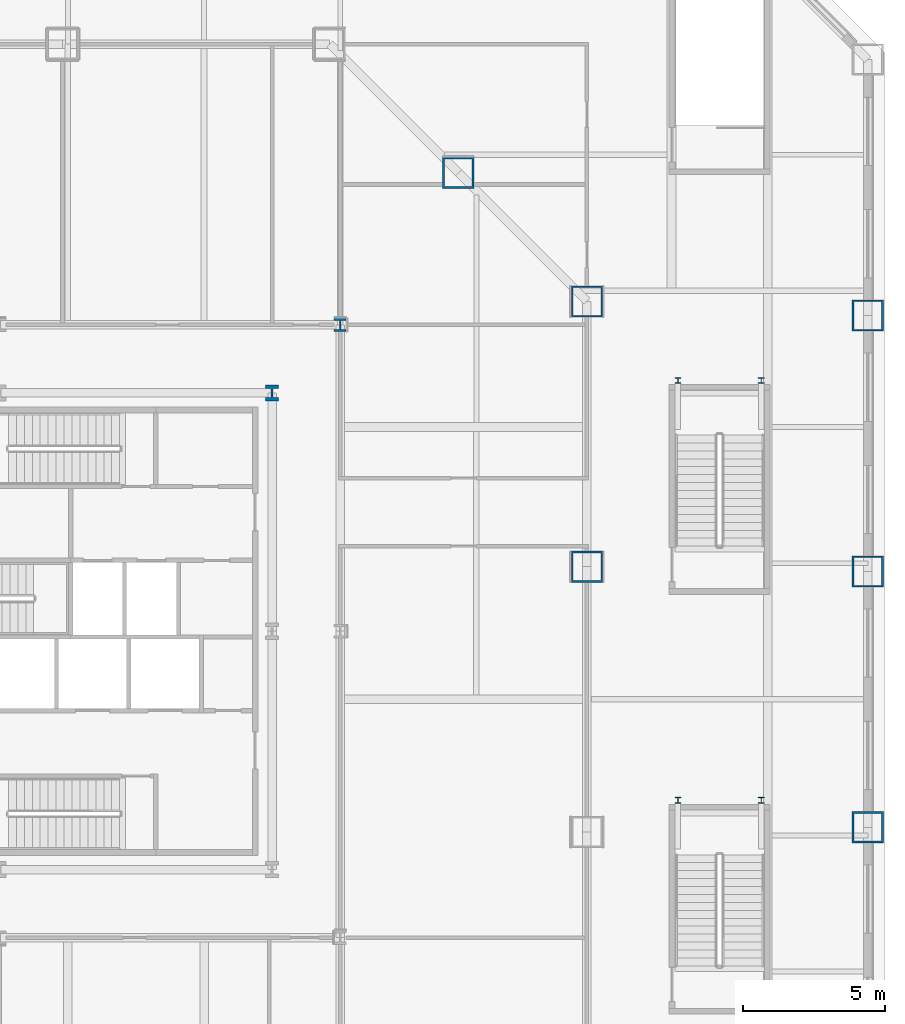
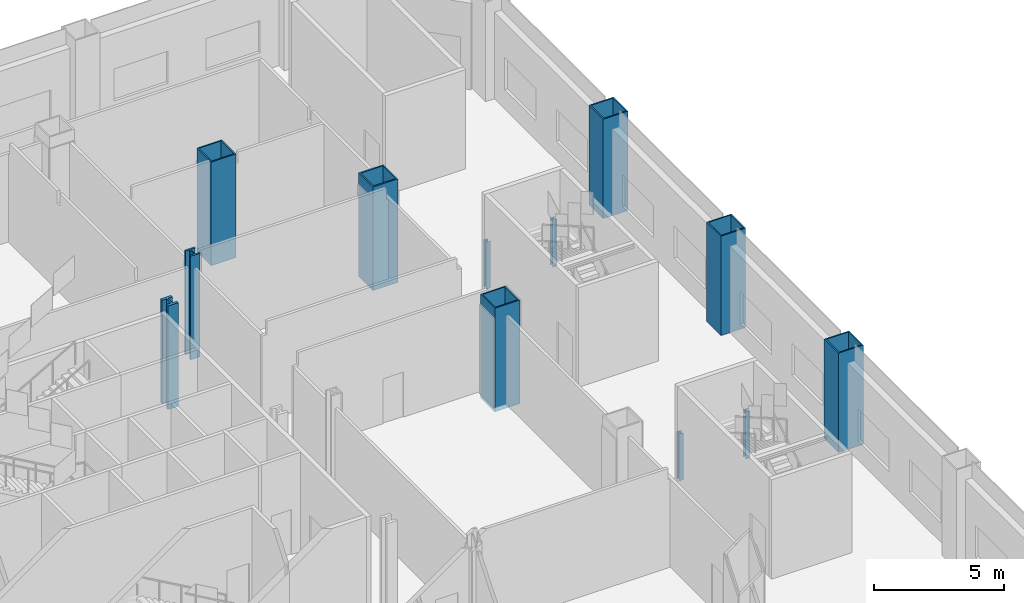
# One storey, part 4 of 22: 12 columns.
"""IFC4 building model written with IfcOpenShell, lengths in metres."""

from ifc_helpers import new_model, si_unit, direction, frame, origin, origin_2d, place, context, subcontext, project, spatial, hollow_rectangle, i_section, extrude, material, material_profile, profile_set, type_object, element, save


model = new_model("IFC4")

# Units and contexts
model_context = context("Model", 3, precision=1e-05, world=origin(), true_north=direction((0.0, 1.0)))
body_context = subcontext(model_context, "Body", "Model", "MODEL_VIEW")
ifc_project = project(units=[si_unit("LENGTHUNIT", "METRE"), si_unit("AREAUNIT", "SQUARE_METRE"), si_unit("VOLUMEUNIT", "CUBIC_METRE"), si_unit("PLANEANGLEUNIT", "RADIAN"), si_unit("MASSUNIT", "GRAM", prefix="KILO")], contexts=[model_context])

# Site, building, storey
site_placement = place(None, origin())
site = spatial("IfcSite", under=ifc_project, at=site_placement, CompositionType="ELEMENT")
building_placement = place(site_placement, origin())
building = spatial("IfcBuilding", under=site, at=building_placement, Name="Cairn Pilgrim Tower", CompositionType="ELEMENT")
storey_placement = place(building_placement, frame((0.0, 0.0, 35.39990234375)))
storey = spatial("IfcBuildingStorey", under=building, at=storey_placement, Name="L06", CompositionType="ELEMENT", Elevation=35.39990234375)

# Columns
ifc_material_1 = material(Name="Structural steel S460M", Category="steel")
ifc_material_profile_1 = material_profile(ifc_material_1, hollow_rectangle(XDim=1.10009765625, YDim=1.10009765625, WallThickness=0.06005859375, at=origin_2d()), Name="BOX 1100x1100x60")
ifc_profile_set_1 = profile_set([ifc_material_profile_1], Name="Structural steel S460M")
column_type_1 = type_object("IfcColumnType", Name="BOX 1100x1100x60", PredefinedType="COLUMN", material=ifc_profile_set_1)
for number, where, z_axis, x_axis, name in (
    (1, (27.89990234375, 4.67578125, -0.199951171875), (0.0, 0.0, 1.0), (1.0, 0.0, 0.0), "PC1-E3"),
    (2, (27.89990234375, 14.027099609375, -0.199951171875), (0.0, 0.0, 1.0), (1.0, 0.0, 0.0), "PC1-NE1"),
    (3, (23.363525390625, 18.563720703125, -0.199951171875), (0.0, 0.0, 1.0), (1.0, 0.0, 0.0), "PC1-NE2"),
):
    element("IfcColumn", number, at=place(storey_placement, frame(where, z_axis=z_axis, x_axis=x_axis)), inside=storey, type_object=column_type_1, Name=name, PredefinedType="COLUMN", context=body_context, shape_type="SweptSolid", body=[
        extrude(hollow_rectangle(XDim=1.10009765625, YDim=1.10009765625, WallThickness=0.06005859375, at=origin_2d()), origin(), (0.0, 0.0, 1.0), 4.85009765625),
    ])
ifc_material_profile_2 = material_profile(ifc_material_1, i_section(OverallWidth=0.4541015625, OverallDepth=0.569091796875, WebThickness=0.077880859375, FlangeThickness=0.125, FilletRadius=0.014892578125, at=origin_2d()), Name="HD 400x1086")
ifc_profile_set_2 = profile_set([ifc_material_profile_2], Name="Structural steel S460M")
column_type_2 = type_object("IfcColumnType", Name="HD 400x1086", PredefinedType="COLUMN", material=ifc_profile_set_2)
column_1_placement = place(storey_placement, frame((16.800048828125, 10.800048828125, -0.199951171875), z_axis=(0.0, 0.0, 1.0), x_axis=(1.0, 0.0, 0.0)))
element("IfcColumn", 4, at=column_1_placement, inside=storey, type_object=column_type_2, Name="KC-8", PredefinedType="COLUMN", context=body_context, shape_type="SweptSolid", body=[
    extrude(i_section(OverallWidth=0.4541015625, OverallDepth=0.569091796875, WebThickness=0.077880859375, FlangeThickness=0.125, FilletRadius=0.014892578125, at=origin_2d()), origin(), (0.0, 0.0, 1.0), 4.85009765625),
])
ifc_material_profile_3 = material_profile(ifc_material_1, i_section(OverallWidth=0.424072265625, OverallDepth=0.47412109375, WebThickness=0.047607421875, FlangeThickness=0.0771484375, FilletRadius=0.014892578125, at=origin_2d()), Name="HD 400x634")
ifc_profile_set_3 = profile_set([ifc_material_profile_3], Name="Structural steel S460M")
column_type_3 = type_object("IfcColumnType", Name="HD 400x634", PredefinedType="COLUMN", material=ifc_profile_set_3)
column_2_placement = place(storey_placement, frame((19.199951171875, 13.199951171875, -0.199951171875), z_axis=(0.0, 0.0, 1.0), x_axis=(1.0, 0.0, 0.0)))
element("IfcColumn", 5, at=column_2_placement, inside=storey, type_object=column_type_3, Name="IC-8", PredefinedType="COLUMN", context=body_context, shape_type="SweptSolid", body=[
    extrude(i_section(OverallWidth=0.424072265625, OverallDepth=0.47412109375, WebThickness=0.047607421875, FlangeThickness=0.0771484375, FilletRadius=0.014892578125, at=origin_2d()), origin(), (0.0, 0.0, 1.0), 4.85009765625),
])
ifc_material_profile_4 = material_profile(ifc_material_1, hollow_rectangle(XDim=1.10009765625, YDim=1.10009765625, WallThickness=0.06005859375, at=origin_2d()), Name="BOX 1100x1100x60")
ifc_profile_set_4 = profile_set([ifc_material_profile_4], Name="Structural steel S460M")
column_type_4 = type_object("IfcColumnType", Name="PILOTIS CFT 1100", PredefinedType="COLUMN", material=ifc_profile_set_4)
for number, where, z_axis, x_axis, name in (
    (6, (37.800048828125, -4.51025390625, 0.0), (0.0, 0.0, 1.0), (1.0, 0.0, 0.0), "PILOTIS PL-E3"),
    (7, (37.800048828125, 4.51025390625, 0.0), (0.0, 0.0, 1.0), (1.0, 0.0, 0.0), "PILOTIS PL-E4"),
    (8, (37.800048828125, 13.531005859375, 0.0), (0.0, 0.0, 1.0), (1.0, 0.0, 0.0), "PILOTIS PL-E5"),
):
    element("IfcColumn", number, at=place(storey_placement, frame(where, z_axis=z_axis, x_axis=x_axis)), inside=storey, type_object=column_type_4, Name=name, PredefinedType="COLUMN", context=body_context, shape_type="SweptSolid", body=[
        extrude(hollow_rectangle(XDim=1.10009765625, YDim=1.10009765625, WallThickness=0.06005859375, at=origin_2d()), origin(), (0.0, 0.0, 1.0), 4.650146484375),
    ])
ifc_material_2 = material(Name="Structural steel S355J2", Category="steel")
ifc_material_profile_5 = material_profile(ifc_material_2, i_section(OverallWidth=0.199951171875, OverallDepth=0.199951171875, WebThickness=0.009033203125, FlangeThickness=0.014892578125, FilletRadius=0.01806640625, at=origin_2d()), Name="HE 200 B")
ifc_profile_set_5 = profile_set([ifc_material_profile_5], Name="Structural steel S355J2")
column_type_5 = type_object("IfcColumnType", Name="STAIR POST HE 200 B", PredefinedType="COLUMN", material=ifc_profile_set_5)
for number, where, z_axis, x_axis, name in (
    (9, (31.10498046875, -3.56005859375, 0.0), (0.0, 0.0, 1.0), (1.0, 0.0, 0.0), "STAIR POST LP-ES2-NA"),
    (10, (34.044921875, -3.56005859375, 0.0), (0.0, 0.0, 1.0), (1.0, 0.0, 0.0), "STAIR POST LP-ES2-NB"),
    (11, (31.10498046875, 11.239990234375, 0.0), (0.0, 0.0, 1.0), (1.0, 0.0, 0.0), "STAIR POST LP-ES3-NA"),
    (12, (34.044921875, 11.239990234375, 0.0), (0.0, 0.0, 1.0), (1.0, 0.0, 0.0), "STAIR POST LP-ES3-NB"),
):
    element("IfcColumn", number, at=place(storey_placement, frame(where, z_axis=z_axis, x_axis=x_axis)), inside=storey, type_object=column_type_5, Name=name, PredefinedType="COLUMN", context=body_context, shape_type="SweptSolid", body=[
        extrude(i_section(OverallWidth=0.199951171875, OverallDepth=0.199951171875, WebThickness=0.009033203125, FlangeThickness=0.014892578125, FilletRadius=0.01806640625, at=origin_2d()), origin(), (0.0, 0.0, 1.0), 2.2001953125),
    ])

save(model, "model.ifc")
